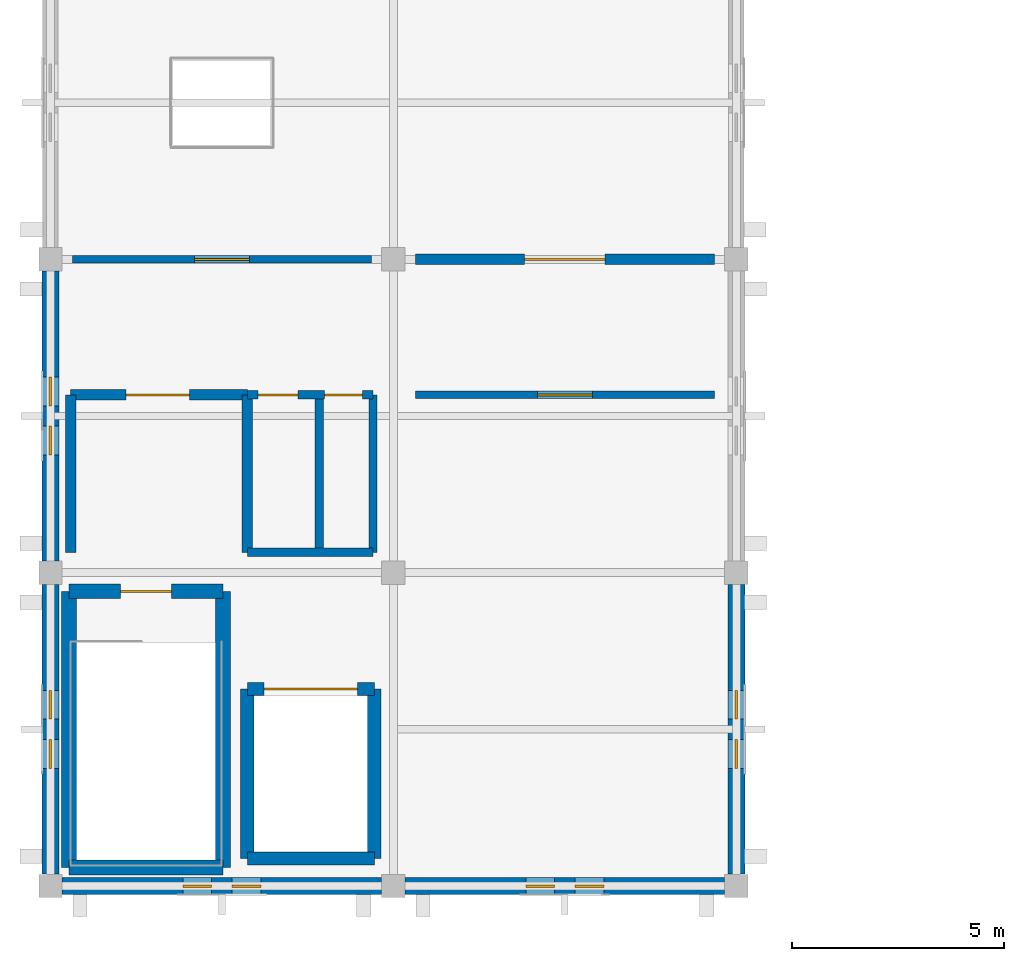
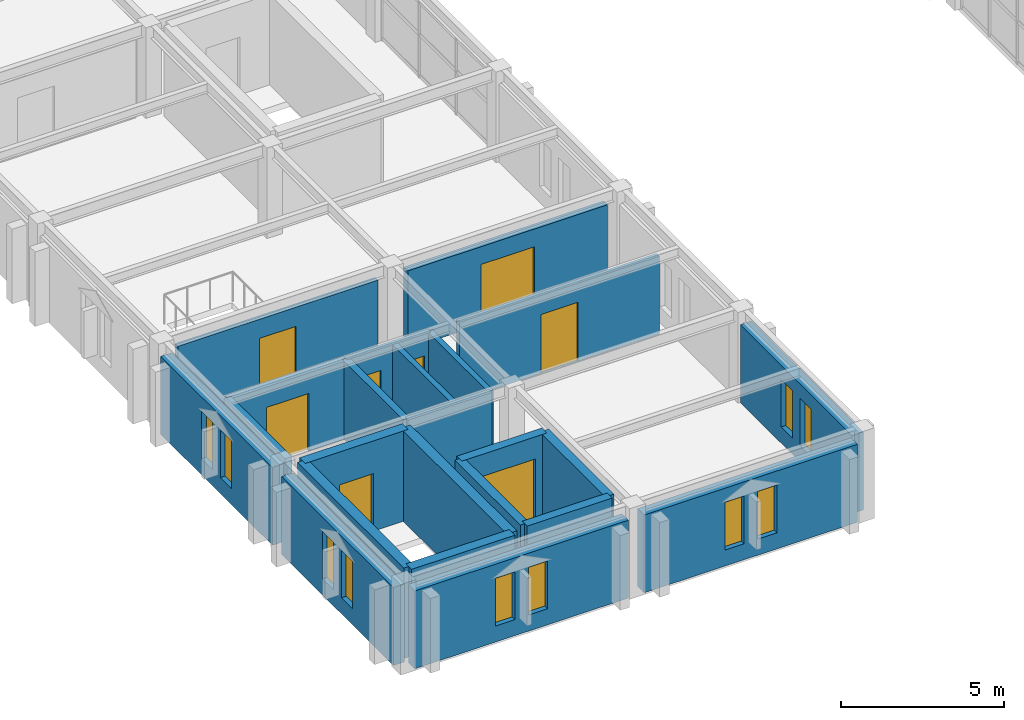
# One storey, part 77 of 93: 23 walls, 10 windows, 8 doors, 18 openings.
"""IFC4 building model written with IfcOpenShell, lengths in metres."""

from ifc_helpers import new_model, si_unit, direction, frame, frame_2d, origin, place, context, subcontext, project, spatial, rectangle, extrude, material, layer, layer_set, type_object, element, fill, save


model = new_model("IFC4")

# Units and contexts
model_context = context("Model", 3, precision=1e-05, world=origin(), true_north=direction((0.0, 1.0)))
body_context = subcontext(model_context, "Body", "Model", "MODEL_VIEW")
ifc_project = project(units=[si_unit("LENGTHUNIT", "METRE"), si_unit("AREAUNIT", "SQUARE_METRE"), si_unit("VOLUMEUNIT", "CUBIC_METRE"), si_unit("PLANEANGLEUNIT", "RADIAN"), si_unit("MASSUNIT", "GRAM", prefix="KILO")], contexts=[model_context])

# Site, building, storey
site_placement = place(None, origin())
site = spatial("IfcSite", under=ifc_project, at=site_placement, CompositionType="ELEMENT")
building_placement = place(site_placement, origin())
building = spatial("IfcBuilding", under=site, at=building_placement, Name="Cimatlan Art Gallery", CompositionType="ELEMENT")
storey_placement = place(building_placement, frame((0.0, 0.0, 13.800048828125)))
storey = spatial("IfcBuildingStorey", under=building, at=storey_placement, Name="L03", CompositionType="ELEMENT", Elevation=13.800048828125)

# Walls
ifc_material_1 = material(Name="Concrete C40/50", Category="concrete")
ifc_layer_1 = layer(ifc_material_1, 0.31005859375)
ifc_layer_set_1 = layer_set([ifc_layer_1], Name="Concrete C40/50")
wall_type_1 = type_object("IfcWallType", Name="W-CORE-310", PredefinedType="SHEAR", material=ifc_layer_set_1)
wall_1_placement = place(storey_placement, frame((6.64990234375, 24.550048828125, 0.0), z_axis=(0.0, 0.0, 1.0), x_axis=(0.0, 1.0, 0.0)))
element("IfcWall", 1, at=wall_1_placement, inside=storey, type_object=wall_type_1, Name="WL-SHFT-C1-L03-LW", PredefinedType="SHEAR", context=body_context, shape_type="SweptSolid", body=[
    extrude(rectangle(XDim=4.0, YDim=0.31005859375, at=frame_2d((2.0, 0.0))), origin(), (0.0, 0.0, 1.0), 3.375),
])
wall_2_placement = place(storey_placement, frame((6.64990234375, 24.550048828125, 0.0), z_axis=(0.0, 0.0, 1.0), x_axis=(1.0, 0.0, 0.0)))
element("IfcWall", 2, at=wall_2_placement, inside=storey, type_object=wall_type_1, Name="WL-SHFT-C1-L03-LS", PredefinedType="SHEAR", context=body_context, shape_type="SweptSolid", body=[
    extrude(rectangle(XDim=3.0, YDim=0.31005859375, at=frame_2d((1.5, 0.0))), origin(), (0.0, 0.0, 1.0), 3.375),
])
wall_3_placement = place(storey_placement, frame((9.64990234375, 24.550048828125, 0.0), z_axis=(0.0, 0.0, 1.0), x_axis=(0.0, 1.0, 0.0)))
element("IfcWall", 3, at=wall_3_placement, inside=storey, type_object=wall_type_1, Name="WL-SHFT-C1-L03-LE", PredefinedType="SHEAR", context=body_context, shape_type="SweptSolid", body=[
    extrude(rectangle(XDim=4.0, YDim=0.31005859375, at=frame_2d((2.0, 0.0))), origin(), (0.0, 0.0, 1.0), 3.375),
])

# Wall, opening, door
wall_4_placement = place(storey_placement, frame((6.64990234375, 28.550048828125, 0.0), z_axis=(0.0, 0.0, 1.0), x_axis=(1.0, 0.0, 0.0)))
wall_4 = element("IfcWall", 4, at=wall_4_placement, inside=storey, type_object=wall_type_1, Name="WL-SHFT-C1-L03-LN", PredefinedType="SHEAR", context=body_context, shape_type="SweptSolid", body=[
    extrude(rectangle(XDim=3.0, YDim=0.31005859375, at=frame_2d((1.5, 0.0))), origin(), (0.0, 0.0, 1.0), 3.375),
])
opening_1_placement = place(wall_4_placement, frame((0.39990234375, 0.0, 0.0)))
opening_1 = element("IfcOpeningElement", 5, at=opening_1_placement, cuts=wall_4, Name="Opening LD-C1-L03", PredefinedType="OPENING", context=body_context, shape_type="SweptSolid", body=[
    extrude(rectangle(XDim=2.199951171875, YDim=2.550048828125, at=frame_2d((1.10009765625, 1.27490234375))), frame((0.0, 0.1650390625, 0.0), z_axis=(0.0, -1.0, 0.0), x_axis=(1.0, 0.0, 0.0)), (0.0, 0.0, 1.0), 0.330078125),
])
ifc_material_2 = material(Name="Heavy-duty bi-parting goods lift landing door")
door_type_1 = type_object("IfcDoorType", Name="LD-GD-2200", OperationType="NOTDEFINED", PredefinedType="DOOR", material=ifc_material_2)
door_1_placement = place(opening_1_placement, origin())
door_1 = element("IfcDoor", 6, at=door_1_placement, inside=storey, type_object=door_type_1, Name="LD-GL-01-L03", OperationType="SLIDING_TO_LEFT", OverallHeight=2.550048828125, OverallWidth=2.199951171875, PredefinedType="DOOR", context=body_context, shape_type="SweptSolid", body=[
    extrude(rectangle(XDim=2.199951171875, YDim=2.550048828125, at=frame_2d((1.10009765625, 1.27490234375))), frame((0.0, 0.02490234375, 0.0), z_axis=(0.0, -1.0, 0.0), x_axis=(1.0, 0.0, 0.0)), (0.0, 0.0, 1.0), 0.050048828125),
])
fill(opening_1, door_1)

# Walls
ifc_layer_2 = layer(ifc_material_1, 0.35009765625)
ifc_layer_set_2 = layer_set([ifc_layer_2], Name="Concrete C40/50")
wall_type_2 = type_object("IfcWallType", Name="W-CORE-350", PredefinedType="SHEAR", material=ifc_layer_set_2)
wall_5_placement = place(storey_placement, frame((2.43994140625, 24.340087890625, 0.0), z_axis=(0.0, 0.0, 1.0), x_axis=(0.0, 1.0, 0.0)))
element("IfcWall", 7, at=wall_5_placement, inside=storey, type_object=wall_type_2, Name="WL-CORE-C1-L03-SW", PredefinedType="SHEAR", context=body_context, shape_type="SweptSolid", body=[
    extrude(rectangle(XDim=6.52001953125, YDim=0.35009765625, at=frame_2d((3.260009765625, 0.0))), origin(), (0.0, 0.0, 1.0), 3.375),
])
wall_6_placement = place(storey_placement, frame((2.43994140625, 24.340087890625, 0.0), z_axis=(0.0, 0.0, 1.0), x_axis=(1.0, 0.0, 0.0)))
element("IfcWall", 8, at=wall_6_placement, inside=storey, type_object=wall_type_2, Name="WL-CORE-C1-L03-SS", PredefinedType="SHEAR", context=body_context, shape_type="SweptSolid", body=[
    extrude(rectangle(XDim=3.64013671875, YDim=0.35009765625, at=frame_2d((1.820068359375, 0.0))), origin(), (0.0, 0.0, 1.0), 3.375),
])
wall_7_placement = place(storey_placement, frame((6.080078125, 24.340087890625, 0.0), z_axis=(0.0, 0.0, 1.0), x_axis=(0.0, 1.0, 0.0)))
element("IfcWall", 9, at=wall_7_placement, inside=storey, type_object=wall_type_2, Name="WL-CORE-C1-L03-SE", PredefinedType="SHEAR", context=body_context, shape_type="SweptSolid", body=[
    extrude(rectangle(XDim=6.52001953125, YDim=0.35009765625, at=frame_2d((3.260009765625, 0.0))), origin(), (0.0, 0.0, 1.0), 3.375),
])

# Wall, opening, door
wall_8_placement = place(storey_placement, frame((2.43994140625, 30.860107421875, 0.0), z_axis=(0.0, 0.0, 1.0), x_axis=(1.0, 0.0, 0.0)))
wall_8 = element("IfcWall", 10, at=wall_8_placement, inside=storey, type_object=wall_type_2, Name="WL-CORE-C1-L03-SN", PredefinedType="SHEAR", context=body_context, shape_type="SweptSolid", body=[
    extrude(rectangle(XDim=3.64013671875, YDim=0.35009765625, at=frame_2d((1.820068359375, 0.0))), origin(), (0.0, 0.0, 1.0), 3.375),
])
opening_2_placement = place(wall_8_placement, frame((1.219970703125, 0.0, 0.0)))
opening_2 = element("IfcOpeningElement", 11, at=opening_2_placement, cuts=wall_8, Name="Opening FD-C1-L03", PredefinedType="OPENING", context=body_context, shape_type="SweptSolid", body=[
    extrude(rectangle(XDim=1.199951171875, YDim=2.14990234375, at=frame_2d((0.60009765625, 1.074951171875))), frame((0.0, 0.18505859375, 0.0), z_axis=(0.0, -1.0, 0.0), x_axis=(1.0, 0.0, 0.0)), (0.0, 0.0, 1.0), 0.3701171875),
])
ifc_material_3 = material(Name="Fire-resisting steel acoustic stair door", Category="steel")
door_type_2 = type_object("IfcDoorType", Name="FD-ST-1200", OperationType="NOTDEFINED", PredefinedType="DOOR", material=ifc_material_3)
door_2_placement = place(opening_2_placement, origin())
door_2 = element("IfcDoor", 12, at=door_2_placement, inside=storey, type_object=door_type_2, Name="DR-C1-L03-ST", OperationType="SINGLE_SWING_LEFT", OverallHeight=2.14990234375, OverallWidth=1.199951171875, PredefinedType="DOOR", context=body_context, shape_type="SweptSolid", body=[
    extrude(rectangle(XDim=1.199951171875, YDim=2.14990234375, at=frame_2d((0.60009765625, 1.074951171875))), frame((0.0, 0.02490234375, 0.0), z_axis=(0.0, -1.0, 0.0), x_axis=(1.0, 0.0, 0.0)), (0.0, 0.0, 1.0), 0.050048828125),
])
fill(opening_2, door_2)

ifc_material_4 = material(Name="Precast concrete C40/50", Category="concrete")
ifc_layer_3 = layer(ifc_material_4, 0.2451171875)
ifc_layer_set_3 = layer_set([ifc_layer_3], Name="Precast concrete C40/50")
wall_type_3 = type_object("IfcWallType", Name="W-FFL-245", PredefinedType="PARTITIONING", material=ifc_layer_set_3)
wall_9_placement = place(storey_placement, frame((2.47998046875, 35.5, 0.0), z_axis=(0.0, 0.0, 1.0), x_axis=(1.0, 0.0, 0.0)))
wall_9 = element("IfcWall", 13, at=wall_9_placement, inside=storey, type_object=wall_type_3, Name="WL-LOB-C1-L03-N", PredefinedType="PARTITIONING", context=body_context, shape_type="SweptSolid", body=[
    extrude(rectangle(XDim=4.169921875, YDim=0.2451171875, at=frame_2d((2.0849609375, 0.0))), origin(), (0.0, 0.0, 1.0), 2.912841796875),
])
opening_3_placement = place(wall_9_placement, frame((1.300048828125, 0.0, 0.0)))
opening_3 = element("IfcOpeningElement", 14, at=opening_3_placement, cuts=wall_9, Name="Opening FDL-C1-L03", PredefinedType="OPENING", context=body_context, shape_type="SweptSolid", body=[
    extrude(rectangle(XDim=1.5, YDim=2.14990234375, at=frame_2d((0.75, 1.074951171875))), frame((0.0, 0.132568359375, 0.0), z_axis=(0.0, -1.0, 0.0), x_axis=(1.0, 0.0, 0.0)), (0.0, 0.0, 1.0), 0.26513671875),
])
ifc_material_5 = material(Name="Fire-resisting double-seal lobby door")
door_type_3 = type_object("IfcDoorType", Name="FD-LB-1500", OperationType="NOTDEFINED", PredefinedType="DOOR", material=ifc_material_5)
door_3_placement = place(opening_3_placement, origin())
door_3 = element("IfcDoor", 15, at=door_3_placement, inside=storey, type_object=door_type_3, Name="DR-LOB-C1-L03", OperationType="SINGLE_SWING_RIGHT", OverallHeight=2.14990234375, OverallWidth=1.5, PredefinedType="DOOR", context=body_context, shape_type="SweptSolid", body=[
    extrude(rectangle(XDim=1.5, YDim=2.14990234375, at=frame_2d((0.75, 1.074951171875))), frame((0.0, 0.02490234375, 0.0), z_axis=(0.0, -1.0, 0.0), x_axis=(1.0, 0.0, 0.0)), (0.0, 0.0, 1.0), 0.050048828125),
])
fill(opening_3, door_3)

# Walls
for number, where, z_axis, x_axis, name in (
    (16, (2.47998046875, 31.780029296875, 0.0), (0.0, 0.0, 1.0), (0.0, 1.0, 0.0), "WL-LOB-C1-L03-W"),
    (17, (6.64990234375, 31.780029296875, 0.0), (0.0, 0.0, 1.0), (0.0, 1.0, 0.0), "WL-LOB-C1-L03-M"),
):
    element("IfcWall", number, at=place(storey_placement, frame(where, z_axis=z_axis, x_axis=x_axis)), inside=storey, type_object=wall_type_3, Name=name, PredefinedType="PARTITIONING", context=body_context, shape_type="SweptSolid", body=[
        extrude(rectangle(XDim=3.719970703125, YDim=0.2451171875, at=frame_2d((1.85986328125, 0.0))), origin(), (0.0, 0.0, 1.0), 2.912841796875),
    ])

# Wall, opening, door
wall_10_placement = place(storey_placement, frame((10.6201171875, 38.699951171875, 0.0), z_axis=(0.0, 0.0, 1.0), x_axis=(1.0, 0.0, 0.0)))
wall_10 = element("IfcWall", 18, at=wall_10_placement, inside=storey, type_object=wall_type_3, Name="WL-RM-L03-AST-01", PredefinedType="PARTITIONING", context=body_context, shape_type="SweptSolid", body=[
    extrude(rectangle(XDim=7.059814453125, YDim=0.2451171875, at=frame_2d((3.52978515625, 0.0))), origin(), (0.0, 0.0, 1.0), 2.912841796875),
])
opening_4_placement = place(wall_10_placement, frame((2.580078125, 0.0, 0.0)))
opening_4 = element("IfcOpeningElement", 19, at=opening_4_placement, cuts=wall_10, Name="Opening DI-0243", PredefinedType="OPENING", context=body_context, shape_type="SweptSolid", body=[
    extrude(rectangle(XDim=1.89990234375, YDim=2.25, at=frame_2d((0.949951171875, 1.125))), frame((0.0, 0.132568359375, 0.0), z_axis=(0.0, -1.0, 0.0), x_axis=(1.0, 0.0, 0.0)), (0.0, 0.0, 1.0), 0.26513671875),
])
ifc_material_6 = material(Name="Fire-resisting art-store and archive vault door")
door_type_4 = type_object("IfcDoorType", Name="FD-VL-1900", OperationType="NOTDEFINED", PredefinedType="DOOR", material=ifc_material_6)
door_4_placement = place(opening_4_placement, origin())
door_4 = element("IfcDoor", 20, at=door_4_placement, inside=storey, type_object=door_type_4, Name="DR-RM-L03-AST-01", OperationType="SINGLE_SWING_LEFT", OverallHeight=2.25, OverallWidth=1.89990234375, PredefinedType="DOOR", context=body_context, shape_type="SweptSolid", body=[
    extrude(rectangle(XDim=1.89990234375, YDim=2.25, at=frame_2d((0.949951171875, 1.125))), frame((0.0, 0.02490234375, 0.0), z_axis=(0.0, -1.0, 0.0), x_axis=(1.0, 0.0, 0.0)), (0.0, 0.0, 1.0), 0.050048828125),
])
fill(opening_4, door_4)

# Walls
ifc_material_7 = material(Name="Moisture-resistant fire-rated plumbing wall")
ifc_layer_4 = layer(ifc_material_7, 0.195068359375)
ifc_layer_set_4 = layer_set([ifc_layer_4], Name="Moisture-resistant fire-rated plumbing wall")
wall_type_4 = type_object("IfcWallType", Name="W-PLM-195", PredefinedType="PARTITIONING", material=ifc_layer_set_4)
for number, where, z_axis, x_axis, name in (
    (21, (8.35009765625, 31.780029296875, 0.0), (0.0, 0.0, 1.0), (0.0, 1.0, 0.0), "WL-LOB-C1-L03-D"),
    (22, (9.6201171875, 31.780029296875, 0.0), (0.0, 0.0, 1.0), (0.0, 1.0, 0.0), "WL-LOB-C1-L03-E"),
):
    element("IfcWall", number, at=place(storey_placement, frame(where, z_axis=z_axis, x_axis=x_axis)), inside=storey, type_object=wall_type_4, Name=name, PredefinedType="PARTITIONING", context=body_context, shape_type="SweptSolid", body=[
        extrude(rectangle(XDim=3.719970703125, YDim=0.195068359375, at=frame_2d((1.85986328125, 0.0))), origin(), (0.0, 0.0, 1.0), 2.912841796875),
    ])
wall_11_placement = place(storey_placement, frame((6.64990234375, 31.780029296875, 0.0), z_axis=(0.0, 0.0, 1.0), x_axis=(1.0, 0.0, 0.0)))
element("IfcWall", 23, at=wall_11_placement, inside=storey, type_object=wall_type_4, Name="WL-LOB-C1-L03-S", PredefinedType="PARTITIONING", context=body_context, shape_type="SweptSolid", body=[
    extrude(rectangle(XDim=2.97021484375, YDim=0.195068359375, at=frame_2d((1.485107421875, 0.0))), origin(), (0.0, 0.0, 1.0), 2.912841796875),
])

# Wall, openings, doors
wall_12_placement = place(storey_placement, frame((6.64990234375, 35.5, 0.0), z_axis=(0.0, 0.0, 1.0), x_axis=(1.0, 0.0, 0.0)))
wall_12 = element("IfcWall", 24, at=wall_12_placement, inside=storey, type_object=wall_type_4, Name="WL-WC-C1-L03-N", PredefinedType="PARTITIONING", context=body_context, shape_type="SweptSolid", body=[
    extrude(rectangle(XDim=2.97021484375, YDim=0.195068359375, at=frame_2d((1.485107421875, 0.0))), origin(), (0.0, 0.0, 1.0), 2.912841796875),
])
opening_5_placement = place(wall_12_placement, frame((0.25, 0.0, 0.0)))
opening_5 = element("IfcOpeningElement", 25, at=opening_5_placement, cuts=wall_12, Name="Opening DWC-C1A-L03", PredefinedType="OPENING", context=body_context, shape_type="SweptSolid", body=[
    extrude(rectangle(XDim=0.949951171875, YDim=2.10009765625, at=frame_2d((0.47509765625, 1.050048828125))), frame((0.0, 0.107421875, 0.0), z_axis=(0.0, -1.0, 0.0), x_axis=(1.0, 0.0, 0.0)), (0.0, 0.0, 1.0), 0.215087890625),
])
opening_6_placement = place(wall_12_placement, frame((1.820068359375, 0.0, 0.0)))
opening_6 = element("IfcOpeningElement", 26, at=opening_6_placement, cuts=wall_12, Name="Opening DWC-C1B-L03", PredefinedType="OPENING", context=body_context, shape_type="SweptSolid", body=[
    extrude(rectangle(XDim=0.89990234375, YDim=2.10009765625, at=frame_2d((0.449951171875, 1.050048828125))), frame((0.0, 0.107421875, 0.0), z_axis=(0.0, -1.0, 0.0), x_axis=(1.0, 0.0, 0.0)), (0.0, 0.0, 1.0), 0.215087890625),
])
ifc_material_8 = material(Name="Sanitary room door")
door_type_5 = type_object("IfcDoorType", Name="DI-WC-0900", OperationType="NOTDEFINED", PredefinedType="DOOR", material=ifc_material_8)
door_5_placement = place(opening_6_placement, origin())
door_5 = element("IfcDoor", 27, at=door_5_placement, inside=storey, type_object=door_type_5, Name="DR-PWC-C1-L03", OperationType="SINGLE_SWING_RIGHT", OverallHeight=2.10009765625, OverallWidth=0.89990234375, PredefinedType="DOOR", context=body_context, shape_type="SweptSolid", body=[
    extrude(rectangle(XDim=0.89990234375, YDim=2.10009765625, at=frame_2d((0.449951171875, 1.050048828125))), frame((0.0, 0.02490234375, 0.0), z_axis=(0.0, -1.0, 0.0), x_axis=(1.0, 0.0, 0.0)), (0.0, 0.0, 1.0), 0.050048828125),
])
fill(opening_6, door_5)
ifc_material_9 = material(Name="Accessible sanitary room door")
door_type_6 = type_object("IfcDoorType", Name="DI-WC-0950", OperationType="NOTDEFINED", PredefinedType="DOOR", material=ifc_material_9)
door_6_placement = place(opening_5_placement, origin())
door_6 = element("IfcDoor", 28, at=door_6_placement, inside=storey, type_object=door_type_6, Name="DR-AWC-C1-L03", OperationType="SINGLE_SWING_LEFT", OverallHeight=2.10009765625, OverallWidth=0.949951171875, PredefinedType="DOOR", context=body_context, shape_type="SweptSolid", body=[
    extrude(rectangle(XDim=0.949951171875, YDim=2.10009765625, at=frame_2d((0.47509765625, 1.050048828125))), frame((0.0, 0.02490234375, 0.0), z_axis=(0.0, -1.0, 0.0), x_axis=(1.0, 0.0, 0.0)), (0.0, 0.0, 1.0), 0.050048828125),
])
fill(opening_5, door_6)

# Wall, opening, door
ifc_material_10 = material(Name="Acoustic gypsum and steel stud partition", Category="steel")
ifc_layer_5 = layer(ifc_material_10, 0.179931640625)
ifc_layer_set_5 = layer_set([ifc_layer_5], Name="Acoustic gypsum and steel stud partition")
wall_type_5 = type_object("IfcWallType", Name="W-STD-180", PredefinedType="PARTITIONING", material=ifc_layer_set_5)
wall_13_placement = place(storey_placement, frame((10.6201171875, 35.5, 0.0), z_axis=(0.0, 0.0, 1.0), x_axis=(1.0, 0.0, 0.0)))
wall_13 = element("IfcWall", 29, at=wall_13_placement, inside=storey, type_object=wall_type_5, Name="WL-RM-L03-CNS-SW", PredefinedType="PARTITIONING", context=body_context, shape_type="SweptSolid", body=[
    extrude(rectangle(XDim=7.059814453125, YDim=0.179931640625, at=frame_2d((3.52978515625, 0.0))), origin(), (0.0, 0.0, 1.0), 2.912841796875),
])
opening_7_placement = place(wall_13_placement, frame((2.8798828125, 0.0, 0.0)))
opening_7 = element("IfcOpeningElement", 30, at=opening_7_placement, cuts=wall_13, Name="Opening DI-0241", PredefinedType="OPENING", context=body_context, shape_type="SweptSolid", body=[
    extrude(rectangle(XDim=1.300048828125, YDim=2.199951171875, at=frame_2d((0.64990234375, 1.10009765625))), frame((0.0, 0.10009765625, 0.0), z_axis=(0.0, -1.0, 0.0), x_axis=(1.0, 0.0, 0.0)), (0.0, 0.0, 1.0), 0.199951171875),
])
ifc_material_11 = material(Name="Conservation laboratory double-leaf door")
door_type_7 = type_object("IfcDoorType", Name="DI-CN-1300", OperationType="NOTDEFINED", PredefinedType="DOOR", material=ifc_material_11)
door_7_placement = place(opening_7_placement, origin())
door_7 = element("IfcDoor", 31, at=door_7_placement, inside=storey, type_object=door_type_7, Name="DR-RM-L03-CNS-SW", OperationType="SINGLE_SWING_LEFT", OverallHeight=2.199951171875, OverallWidth=1.300048828125, PredefinedType="DOOR", context=body_context, shape_type="SweptSolid", body=[
    extrude(rectangle(XDim=1.300048828125, YDim=2.199951171875, at=frame_2d((0.64990234375, 1.10009765625))), frame((0.0, 0.02490234375, 0.0), z_axis=(0.0, -1.0, 0.0), x_axis=(1.0, 0.0, 0.0)), (0.0, 0.0, 1.0), 0.050048828125),
])
fill(opening_7, door_7)

wall_14_placement = place(storey_placement, frame((2.52001953125, 38.699951171875, 0.0), z_axis=(0.0, 0.0, 1.0), x_axis=(1.0, 0.0, 0.0)))
wall_14 = element("IfcWall", 32, at=wall_14_placement, inside=storey, type_object=wall_type_5, Name="WL-RM-L03-CNS-01", PredefinedType="PARTITIONING", context=body_context, shape_type="SweptSolid", body=[
    extrude(rectangle(XDim=7.06005859375, YDim=0.179931640625, at=frame_2d((3.530029296875, 0.0))), origin(), (0.0, 0.0, 1.0), 2.912841796875),
])
opening_8_placement = place(wall_14_placement, frame((2.8798828125, 0.0, 0.0)))
opening_8 = element("IfcOpeningElement", 33, at=opening_8_placement, cuts=wall_14, Name="Opening DI-0242", PredefinedType="OPENING", context=body_context, shape_type="SweptSolid", body=[
    extrude(rectangle(XDim=1.300048828125, YDim=2.199951171875, at=frame_2d((0.64990234375, 1.10009765625))), frame((0.0, 0.10009765625, 0.0), z_axis=(0.0, -1.0, 0.0), x_axis=(1.0, 0.0, 0.0)), (0.0, 0.0, 1.0), 0.199951171875),
])
door_8_placement = place(opening_8_placement, origin())
door_8 = element("IfcDoor", 34, at=door_8_placement, inside=storey, type_object=door_type_7, Name="DR-RM-L03-CNS-01", OperationType="SINGLE_SWING_RIGHT", OverallHeight=2.199951171875, OverallWidth=1.300048828125, PredefinedType="DOOR", context=body_context, shape_type="SweptSolid", body=[
    extrude(rectangle(XDim=1.300048828125, YDim=2.199951171875, at=frame_2d((0.64990234375, 1.10009765625))), frame((0.0, 0.02490234375, 0.0), z_axis=(0.0, -1.0, 0.0), x_axis=(1.0, 0.0, 0.0)), (0.0, 0.0, 1.0), 0.050048828125),
])
fill(opening_8, door_8)

# Wall, openings, windows
ifc_layer_6 = layer(ifc_material_4, 0.39990234375)
ifc_layer_set_6 = layer_set([ifc_layer_6], Name="Precast concrete C40/50")
wall_type_6 = type_object("IfcWallType", Name="WL-EXT-CAN-400", PredefinedType="SOLIDWALL", material=ifc_layer_set_6)
wall_15_placement = place(storey_placement, frame((9.821044921875, 23.89990234375, 0.0), z_axis=(0.0, 0.0, 1.0), x_axis=(-1.0, 0.0, 0.0)))
wall_15 = element("IfcWall", 35, at=wall_15_placement, inside=storey, type_object=wall_type_6, Name="WL-EXT-L03-00-03-S", PredefinedType="SOLIDWALL", context=body_context, shape_type="SweptSolid", body=[
    extrude(rectangle(XDim=7.5419921875, YDim=0.39990234375, at=frame_2d((3.77099609375, 0.0))), origin(), (0.0, 0.0, 1.0), 2.907958984375),
])
opening_9_placement = place(wall_15_placement, frame((2.85107421875, 0.0, 0.60009765625)))
opening_9 = element("IfcOpeningElement", 36, at=opening_9_placement, cuts=wall_15, Name="Opening WN-0207", PredefinedType="OPENING", context=body_context, shape_type="SweptSolid", body=[
    extrude(rectangle(XDim=0.679931640625, YDim=1.780029296875, at=frame_2d((0.33984375, 0.89013671875))), frame((0.0, 0.2099609375, 0.0), z_axis=(0.0, -1.0, 0.0), x_axis=(1.0, 0.0, 0.0)), (0.0, 0.0, 1.0), 0.419921875),
])
opening_10_placement = place(wall_15_placement, frame((4.010986328125, 0.0, 0.60009765625)))
opening_10 = element("IfcOpeningElement", 37, at=opening_10_placement, cuts=wall_15, Name="Opening WN-0208", PredefinedType="OPENING", context=body_context, shape_type="SweptSolid", body=[
    extrude(rectangle(XDim=0.679931640625, YDim=1.780029296875, at=frame_2d((0.33984375, 0.89013671875))), frame((0.0, 0.2099609375, 0.0), z_axis=(0.0, -1.0, 0.0), x_axis=(1.0, 0.0, 0.0)), (0.0, 0.0, 1.0), 0.419921875),
])
ifc_material_12 = material(Name="Low-E laminated double glazing in bronze lancet frame", Category="glass")
window_type = type_object("IfcWindowType", Name="WIN-CNS-L03-0680X1780", PartitioningType="SINGLE_PANEL", PredefinedType="WINDOW", material=ifc_material_12)
window_1_placement = place(opening_9_placement, origin())
window_1 = element("IfcWindow", 38, at=window_1_placement, inside=storey, type_object=window_type, Name="WIN-0207", OverallHeight=1.780029296875, OverallWidth=0.679931640625, PartitioningType="SINGLE_PANEL", PredefinedType="WINDOW", context=body_context, shape_type="SweptSolid", body=[
    extrude(rectangle(XDim=0.679931640625, YDim=1.780029296875, at=frame_2d((0.33984375, 0.89013671875))), frame((0.0, 0.030029296875, 0.0), z_axis=(0.0, -1.0, 0.0), x_axis=(1.0, 0.0, 0.0)), (0.0, 0.0, 1.0), 0.06005859375),
])
fill(opening_9, window_1)
window_2_placement = place(opening_10_placement, origin())
window_2 = element("IfcWindow", 39, at=window_2_placement, inside=storey, type_object=window_type, Name="WIN-0208", OverallHeight=1.780029296875, OverallWidth=0.679931640625, PartitioningType="SINGLE_PANEL", PredefinedType="WINDOW", context=body_context, shape_type="SweptSolid", body=[
    extrude(rectangle(XDim=0.679931640625, YDim=1.780029296875, at=frame_2d((0.33984375, 0.89013671875))), frame((0.0, 0.030029296875, 0.0), z_axis=(0.0, -1.0, 0.0), x_axis=(1.0, 0.0, 0.0)), (0.0, 0.0, 1.0), 0.06005859375),
])
fill(opening_10, window_2)

wall_16_placement = place(storey_placement, frame((2.0, 24.178955078125, 0.0), z_axis=(0.0, 0.0, 1.0), x_axis=(0.0, 1.0, 0.0)))
wall_16 = element("IfcWall", 40, at=wall_16_placement, inside=storey, type_object=wall_type_6, Name="WL-EXT-L03-00-03-W", PredefinedType="SOLIDWALL", context=body_context, shape_type="SweptSolid", body=[
    extrude(rectangle(XDim=6.842041015625, YDim=0.39990234375, at=frame_2d((3.4208984375, 0.0))), origin(), (0.0, 0.0, 1.0), 2.907958984375),
])
opening_11_placement = place(wall_16_placement, frame((2.5009765625, 0.0, 0.60009765625)))
opening_11 = element("IfcOpeningElement", 41, at=opening_11_placement, cuts=wall_16, Name="Opening WN-0209", PredefinedType="OPENING", context=body_context, shape_type="SweptSolid", body=[
    extrude(rectangle(XDim=0.679931640625, YDim=1.780029296875, at=frame_2d((0.33984375, 0.89013671875))), frame((0.0, 0.2099609375, 0.0), z_axis=(0.0, -1.0, 0.0), x_axis=(1.0, 0.0, 0.0)), (0.0, 0.0, 1.0), 0.419921875),
])
opening_12_placement = place(wall_16_placement, frame((3.660888671875, 0.0, 0.60009765625)))
opening_12 = element("IfcOpeningElement", 42, at=opening_12_placement, cuts=wall_16, Name="Opening WN-0210", PredefinedType="OPENING", context=body_context, shape_type="SweptSolid", body=[
    extrude(rectangle(XDim=0.679931640625, YDim=1.780029296875, at=frame_2d((0.33984375, 0.89013671875))), frame((0.0, 0.2099609375, 0.0), z_axis=(0.0, -1.0, 0.0), x_axis=(1.0, 0.0, 0.0)), (0.0, 0.0, 1.0), 0.419921875),
])
window_3_placement = place(opening_11_placement, origin())
window_3 = element("IfcWindow", 43, at=window_3_placement, inside=storey, type_object=window_type, Name="WIN-0209", OverallHeight=1.780029296875, OverallWidth=0.679931640625, PartitioningType="SINGLE_PANEL", PredefinedType="WINDOW", context=body_context, shape_type="SweptSolid", body=[
    extrude(rectangle(XDim=0.679931640625, YDim=1.780029296875, at=frame_2d((0.33984375, 0.89013671875))), frame((0.0, 0.030029296875, 0.0), z_axis=(0.0, -1.0, 0.0), x_axis=(1.0, 0.0, 0.0)), (0.0, 0.0, 1.0), 0.06005859375),
])
fill(opening_11, window_3)
window_4_placement = place(opening_12_placement, origin())
window_4 = element("IfcWindow", 44, at=window_4_placement, inside=storey, type_object=window_type, Name="WIN-0210", OverallHeight=1.780029296875, OverallWidth=0.679931640625, PartitioningType="SINGLE_PANEL", PredefinedType="WINDOW", context=body_context, shape_type="SweptSolid", body=[
    extrude(rectangle(XDim=0.679931640625, YDim=1.780029296875, at=frame_2d((0.33984375, 0.89013671875))), frame((0.0, 0.030029296875, 0.0), z_axis=(0.0, -1.0, 0.0), x_axis=(1.0, 0.0, 0.0)), (0.0, 0.0, 1.0), 0.06005859375),
])
fill(opening_12, window_4)

wall_17_placement = place(storey_placement, frame((2.0, 31.5791015625, 0.0), z_axis=(0.0, 0.0, 1.0), x_axis=(0.0, 1.0, 0.0)))
wall_17 = element("IfcWall", 45, at=wall_17_placement, inside=storey, type_object=wall_type_6, Name="WL-EXT-L03-00-04-W", PredefinedType="SOLIDWALL", context=body_context, shape_type="SweptSolid", body=[
    extrude(rectangle(XDim=6.841796875, YDim=0.39990234375, at=frame_2d((3.4208984375, 0.0))), origin(), (0.0, 0.0, 1.0), 2.907958984375),
])
opening_13_placement = place(wall_17_placement, frame((2.5009765625, 0.0, 0.60009765625)))
opening_13 = element("IfcOpeningElement", 46, at=opening_13_placement, cuts=wall_17, Name="Opening WN-0211", PredefinedType="OPENING", context=body_context, shape_type="SweptSolid", body=[
    extrude(rectangle(XDim=0.679931640625, YDim=1.780029296875, at=frame_2d((0.33984375, 0.89013671875))), frame((0.0, 0.2099609375, 0.0), z_axis=(0.0, -1.0, 0.0), x_axis=(1.0, 0.0, 0.0)), (0.0, 0.0, 1.0), 0.419921875),
])
opening_14_placement = place(wall_17_placement, frame((3.660888671875, 0.0, 0.60009765625)))
opening_14 = element("IfcOpeningElement", 47, at=opening_14_placement, cuts=wall_17, Name="Opening WN-0212", PredefinedType="OPENING", context=body_context, shape_type="SweptSolid", body=[
    extrude(rectangle(XDim=0.679931640625, YDim=1.780029296875, at=frame_2d((0.33984375, 0.89013671875))), frame((0.0, 0.2099609375, 0.0), z_axis=(0.0, -1.0, 0.0), x_axis=(1.0, 0.0, 0.0)), (0.0, 0.0, 1.0), 0.419921875),
])
window_5_placement = place(opening_13_placement, origin())
window_5 = element("IfcWindow", 48, at=window_5_placement, inside=storey, type_object=window_type, Name="WIN-0211", OverallHeight=1.780029296875, OverallWidth=0.679931640625, PartitioningType="SINGLE_PANEL", PredefinedType="WINDOW", context=body_context, shape_type="SweptSolid", body=[
    extrude(rectangle(XDim=0.679931640625, YDim=1.780029296875, at=frame_2d((0.33984375, 0.89013671875))), frame((0.0, 0.030029296875, 0.0), z_axis=(0.0, -1.0, 0.0), x_axis=(1.0, 0.0, 0.0)), (0.0, 0.0, 1.0), 0.06005859375),
])
fill(opening_13, window_5)
window_6_placement = place(opening_14_placement, origin())
window_6 = element("IfcWindow", 49, at=window_6_placement, inside=storey, type_object=window_type, Name="WIN-0212", OverallHeight=1.780029296875, OverallWidth=0.679931640625, PartitioningType="SINGLE_PANEL", PredefinedType="WINDOW", context=body_context, shape_type="SweptSolid", body=[
    extrude(rectangle(XDim=0.679931640625, YDim=1.780029296875, at=frame_2d((0.33984375, 0.89013671875))), frame((0.0, 0.030029296875, 0.0), z_axis=(0.0, -1.0, 0.0), x_axis=(1.0, 0.0, 0.0)), (0.0, 0.0, 1.0), 0.06005859375),
])
fill(opening_14, window_6)

wall_18_placement = place(storey_placement, frame((17.9208984375, 23.89990234375, 0.0), z_axis=(0.0, 0.0, 1.0), x_axis=(-1.0, 0.0, 0.0)))
wall_18 = element("IfcWall", 50, at=wall_18_placement, inside=storey, type_object=wall_type_6, Name="WL-EXT-L03-01-03-S", PredefinedType="SOLIDWALL", context=body_context, shape_type="SweptSolid", body=[
    extrude(rectangle(XDim=7.5419921875, YDim=0.39990234375, at=frame_2d((3.77099609375, 0.0))), origin(), (0.0, 0.0, 1.0), 2.907958984375),
])
opening_15_placement = place(wall_18_placement, frame((2.85107421875, 0.0, 0.60009765625)))
opening_15 = element("IfcOpeningElement", 51, at=opening_15_placement, cuts=wall_18, Name="Opening WN-0223", PredefinedType="OPENING", context=body_context, shape_type="SweptSolid", body=[
    extrude(rectangle(XDim=0.679931640625, YDim=1.780029296875, at=frame_2d((0.33984375, 0.89013671875))), frame((0.0, 0.2099609375, 0.0), z_axis=(0.0, -1.0, 0.0), x_axis=(1.0, 0.0, 0.0)), (0.0, 0.0, 1.0), 0.419921875),
])
opening_16_placement = place(wall_18_placement, frame((4.010986328125, 0.0, 0.60009765625)))
opening_16 = element("IfcOpeningElement", 52, at=opening_16_placement, cuts=wall_18, Name="Opening WN-0224", PredefinedType="OPENING", context=body_context, shape_type="SweptSolid", body=[
    extrude(rectangle(XDim=0.679931640625, YDim=1.780029296875, at=frame_2d((0.33984375, 0.89013671875))), frame((0.0, 0.2099609375, 0.0), z_axis=(0.0, -1.0, 0.0), x_axis=(1.0, 0.0, 0.0)), (0.0, 0.0, 1.0), 0.419921875),
])
window_7_placement = place(opening_15_placement, origin())
window_7 = element("IfcWindow", 53, at=window_7_placement, inside=storey, type_object=window_type, Name="WIN-0223", OverallHeight=1.780029296875, OverallWidth=0.679931640625, PartitioningType="SINGLE_PANEL", PredefinedType="WINDOW", context=body_context, shape_type="SweptSolid", body=[
    extrude(rectangle(XDim=0.679931640625, YDim=1.780029296875, at=frame_2d((0.33984375, 0.89013671875))), frame((0.0, 0.030029296875, 0.0), z_axis=(0.0, -1.0, 0.0), x_axis=(1.0, 0.0, 0.0)), (0.0, 0.0, 1.0), 0.06005859375),
])
fill(opening_15, window_7)
window_8_placement = place(opening_16_placement, origin())
window_8 = element("IfcWindow", 54, at=window_8_placement, inside=storey, type_object=window_type, Name="WIN-0224", OverallHeight=1.780029296875, OverallWidth=0.679931640625, PartitioningType="SINGLE_PANEL", PredefinedType="WINDOW", context=body_context, shape_type="SweptSolid", body=[
    extrude(rectangle(XDim=0.679931640625, YDim=1.780029296875, at=frame_2d((0.33984375, 0.89013671875))), frame((0.0, 0.030029296875, 0.0), z_axis=(0.0, -1.0, 0.0), x_axis=(1.0, 0.0, 0.0)), (0.0, 0.0, 1.0), 0.06005859375),
])
fill(opening_16, window_8)

wall_19_placement = place(storey_placement, frame((18.199951171875, 31.02099609375, 0.0), z_axis=(0.0, 0.0, 1.0), x_axis=(0.0, -1.0, 0.0)))
wall_19 = element("IfcWall", 55, at=wall_19_placement, inside=storey, type_object=wall_type_6, Name="WL-EXT-L03-01-03-E", PredefinedType="SOLIDWALL", context=body_context, shape_type="SweptSolid", body=[
    extrude(rectangle(XDim=6.842041015625, YDim=0.39990234375, at=frame_2d((3.4208984375, 0.0))), origin(), (0.0, 0.0, 1.0), 2.907958984375),
])
opening_17_placement = place(wall_19_placement, frame((2.5009765625, 0.0, 0.60009765625)))
opening_17 = element("IfcOpeningElement", 56, at=opening_17_placement, cuts=wall_19, Name="Opening WN-0225", PredefinedType="OPENING", context=body_context, shape_type="SweptSolid", body=[
    extrude(rectangle(XDim=0.679931640625, YDim=1.780029296875, at=frame_2d((0.33984375, 0.89013671875))), frame((0.0, 0.2099609375, 0.0), z_axis=(0.0, -1.0, 0.0), x_axis=(1.0, 0.0, 0.0)), (0.0, 0.0, 1.0), 0.419921875),
])
opening_18_placement = place(wall_19_placement, frame((3.660888671875, 0.0, 0.60009765625)))
opening_18 = element("IfcOpeningElement", 57, at=opening_18_placement, cuts=wall_19, Name="Opening WN-0226", PredefinedType="OPENING", context=body_context, shape_type="SweptSolid", body=[
    extrude(rectangle(XDim=0.679931640625, YDim=1.780029296875, at=frame_2d((0.33984375, 0.89013671875))), frame((0.0, 0.2099609375, 0.0), z_axis=(0.0, -1.0, 0.0), x_axis=(1.0, 0.0, 0.0)), (0.0, 0.0, 1.0), 0.419921875),
])
window_9_placement = place(opening_17_placement, origin())
window_9 = element("IfcWindow", 58, at=window_9_placement, inside=storey, type_object=window_type, Name="WIN-0225", OverallHeight=1.780029296875, OverallWidth=0.679931640625, PartitioningType="SINGLE_PANEL", PredefinedType="WINDOW", context=body_context, shape_type="SweptSolid", body=[
    extrude(rectangle(XDim=0.679931640625, YDim=1.780029296875, at=frame_2d((0.33984375, 0.89013671875))), frame((0.0, 0.030029296875, 0.0), z_axis=(0.0, -1.0, 0.0), x_axis=(1.0, 0.0, 0.0)), (0.0, 0.0, 1.0), 0.06005859375),
])
fill(opening_17, window_9)
window_10_placement = place(opening_18_placement, origin())
window_10 = element("IfcWindow", 59, at=window_10_placement, inside=storey, type_object=window_type, Name="WIN-0226", OverallHeight=1.780029296875, OverallWidth=0.679931640625, PartitioningType="SINGLE_PANEL", PredefinedType="WINDOW", context=body_context, shape_type="SweptSolid", body=[
    extrude(rectangle(XDim=0.679931640625, YDim=1.780029296875, at=frame_2d((0.33984375, 0.89013671875))), frame((0.0, 0.030029296875, 0.0), z_axis=(0.0, -1.0, 0.0), x_axis=(1.0, 0.0, 0.0)), (0.0, 0.0, 1.0), 0.06005859375),
])
fill(opening_18, window_10)

save(model, "model.ifc")
